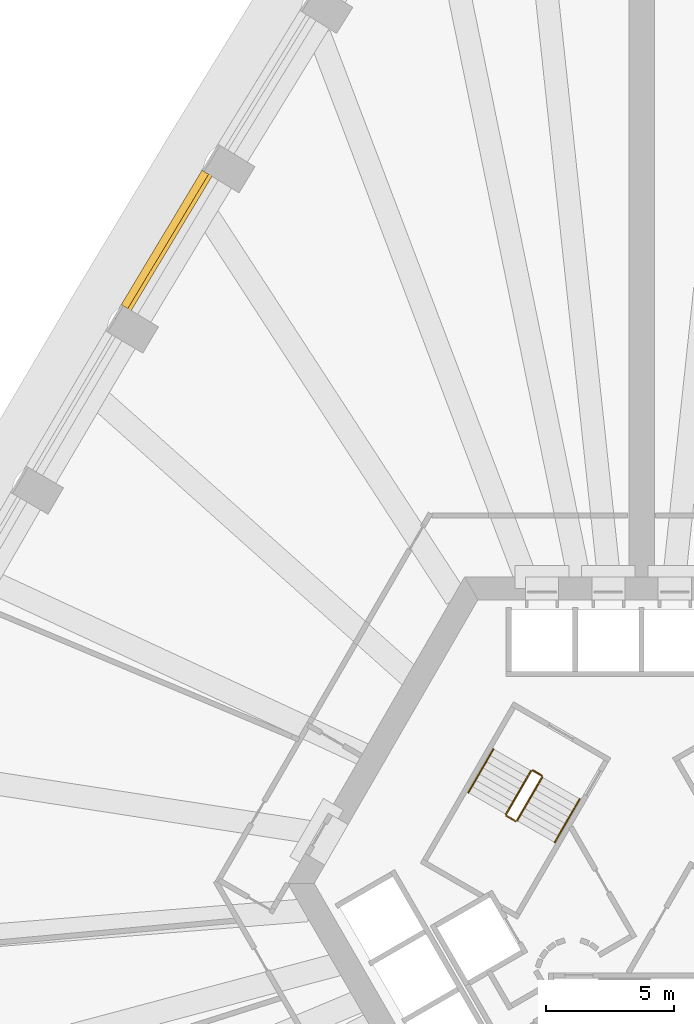
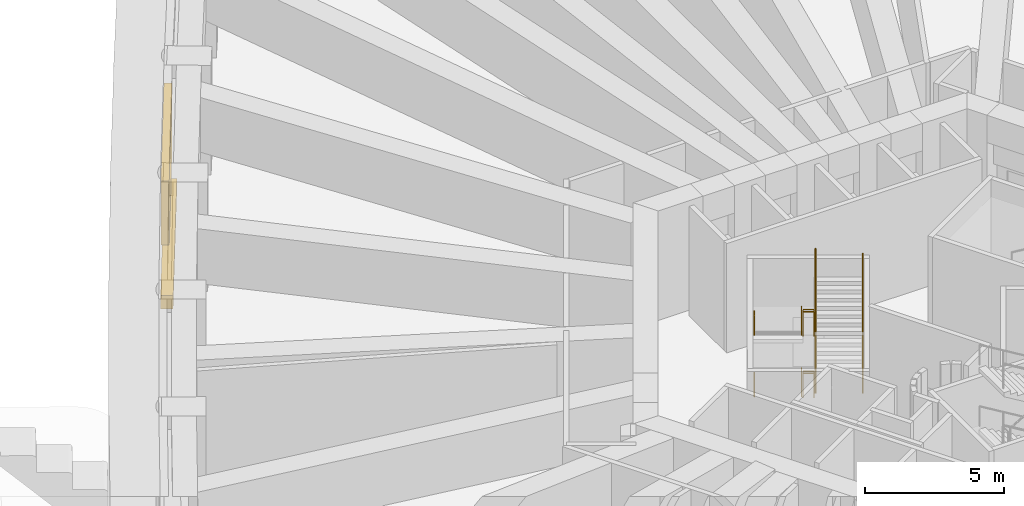
# One storey, part 17 of 21: 12 railings, 1 covering, 1 shading device.
"""IFC4 building model written with IfcOpenShell, lengths in metres."""

from ifc_helpers import new_model, si_unit, direction, frame, origin, origin_2d, place, context, subcontext, project, spatial, polyline, rectangle, circle, outline, extrude, material, layer, layer_set, type_object, element, save


model = new_model("IFC4")

# Units and contexts
model_context = context("Model", 3, precision=1e-05, world=origin(), true_north=direction((0.0, 1.0)))
body_context = subcontext(model_context, "Body", "Model", "MODEL_VIEW")
ifc_project = project(units=[si_unit("LENGTHUNIT", "METRE"), si_unit("AREAUNIT", "SQUARE_METRE"), si_unit("VOLUMEUNIT", "CUBIC_METRE"), si_unit("PLANEANGLEUNIT", "RADIAN"), si_unit("MASSUNIT", "GRAM", prefix="KILO")], contexts=[model_context])

# Site, building, storey
site_placement = place(None, origin())
site = spatial("IfcSite", under=ifc_project, at=site_placement, CompositionType="ELEMENT")
building_placement = place(site_placement, origin())
building = spatial("IfcBuilding", under=site, at=building_placement, Name="Entoto Arch Interchange Tower", CompositionType="ELEMENT")
storey_placement = place(building_placement, frame((0.0, 0.0, 81.199951171875)))
storey = spatial("IfcBuildingStorey", under=building, at=storey_placement, Name="L17", CompositionType="ELEMENT", Elevation=81.199951171875)

# Shading device
ifc_material_1 = material(Name="Aluminium, anodised", Category="aluminium")
ifc_layer = layer(ifc_material_1, 0.300048828125)
ifc_layer_set = layer_set([ifc_layer], Name="Aluminium, anodised")
shading_device_type = type_object("IfcShadingDeviceType", Name="PLANT LOUVRE ALUMINIUM", PredefinedType="JALOUSIE", material=ifc_layer_set)
shading_device_placement = place(storey_placement, frame((-18.659912109375, 27.7060546875, 1.2001953125), z_axis=(0.0, 0.0, 1.0), x_axis=(-0.515307336539, -0.857005454422, 0.0)))
element("IfcShadingDevice", 1, at=shading_device_placement, inside=storey, type_object=shading_device_type, Name="Plant louvre NW-03 L17", PredefinedType="JALOUSIE", context=body_context, shape_type="SweptSolid", body=[
    extrude(rectangle(XDim=6.134033203125, YDim=0.300048828125, at=origin_2d()), origin(), (0.0, 0.0, 1.0), 2.800048828125),
])

# Covering
ifc_material_2 = material(Name="Board-marked precast concrete C50/60", Category="concrete")
covering_type = type_object("IfcCoveringType", Name="PRECAST LEDGE COURSE", PredefinedType="CLADDING", material=ifc_material_2)
covering_placement = place(storey_placement, frame((0.0, 0.0, -1.199951171875)))
element("IfcCovering", 2, at=covering_placement, inside=storey, type_object=covering_type, Name="Precast course NW-03 L17", PredefinedType="CLADDING", context=body_context, shape_type="SweptSolid", body=[
    extrude(outline(polyline([(-20.2890625, 24.408935546875), (-20.677001953125, 24.64111328125), (-16.89794921875, 30.926025390625), (-16.509033203125, 30.68798828125), (-20.2890625, 24.408935546875)])), origin(), (0.0, 0.0, 1.0), 0.60009765625),
])

# Railings
ifc_material_3 = material(Name="Stainless steel 1.4301", Category="steel")
railing_type_1 = type_object("IfcRailingType", Name="STAIR GUARD 1100 STEEL", PredefinedType="GUARDRAIL", material=ifc_material_3)
railing_1_placement = place(storey_placement, frame((-4.327880859375, 6.904052734375, 0.168701171875)))
element("IfcRailing", 3, at=railing_1_placement, inside=storey, type_object=railing_type_1, Name="L17 ST-NW stair guard 1", PredefinedType="GUARDRAIL", context=body_context, shape_type="SweptSolid", body=[
    extrude(circle(Radius=0.02392578125, at=origin_2d()), frame((0.0, 0.0, 1.076171875), z_axis=(-0.428204578836, -0.741730552229, 0.516213741153), x_axis=(0.866042469362, -0.499970440388, 0.0)), (0.0, 0.0, 1.0), 2.28857421875),
    extrude(circle(Radius=0.02099609375, at=origin_2d()), origin(), (0.0, 0.0, 1.0), 1.052001953125),
    extrude(circle(Radius=0.02099609375, at=origin_2d()), frame((-0.489990234375, -0.8486328125, 0.5908203125)), (0.0, 0.0, 1.0), 1.052001953125),
    extrude(circle(Radius=0.02099609375, at=origin_2d()), frame((-0.97998046875, -1.697509765625, 1.181396484375)), (0.0, 0.0, 1.0), 1.052001953125),
])
railing_2_placement = place(storey_placement, frame((-5.28955078125, 5.13818359375, 1.35009765625)))
element("IfcRailing", 4, at=railing_2_placement, inside=storey, type_object=railing_type_1, Name="L17 ST-NW stair guard 2", PredefinedType="GUARDRAIL", context=body_context, shape_type="SweptSolid", body=[
    extrude(circle(Radius=0.02392578125, at=origin_2d()), frame((0.0, 0.0, 1.076171875), z_axis=(0.866094119867, -0.499880961361, 0.0), x_axis=(0.499880961361, 0.866094119867, 0.0)), (0.0, 0.0, 1.0), 0.39990234375),
    extrude(circle(Radius=0.02099609375, at=origin_2d()), origin(), (0.0, 0.0, 1.0), 1.052001953125),
    extrude(circle(Radius=0.02099609375, at=origin_2d()), frame((0.346435546875, -0.199951171875, 0.0)), (0.0, 0.0, 1.0), 1.052001953125),
])
railing_3_placement = place(storey_placement, frame((-4.874755859375, 4.95654296875, 1.518798828125)))
element("IfcRailing", 5, at=railing_3_placement, inside=storey, type_object=railing_type_1, Name="L17 ST-NW stair guard 3", PredefinedType="GUARDRAIL", context=body_context, shape_type="SweptSolid", body=[
    extrude(circle(Radius=0.02392578125, at=origin_2d()), frame((0.0, 0.0, 1.076171875), z_axis=(0.428228158944, 0.741771397394, 0.516135484049), x_axis=(-0.866042469362, 0.499970440388, 0.0)), (0.0, 0.0, 1.0), 2.28857421875),
    extrude(circle(Radius=0.02099609375, at=origin_2d()), origin(), (0.0, 0.0, 1.0), 1.052001953125),
    extrude(circle(Radius=0.02099609375, at=origin_2d()), frame((0.489990234375, 0.8486328125, 0.590576171875)), (0.0, 0.0, 1.0), 1.052001953125),
    extrude(circle(Radius=0.02099609375, at=origin_2d()), frame((0.97998046875, 1.697509765625, 1.18115234375)), (0.0, 0.0, 1.0), 1.052001953125),
])
railing_4_placement = place(storey_placement, frame((-4.259521484375, 6.92236328125, 2.699951171875)))
element("IfcRailing", 6, at=railing_4_placement, inside=storey, type_object=railing_type_1, Name="L17 ST-NW stair guard 4", PredefinedType="GUARDRAIL", context=body_context, shape_type="SweptSolid", body=[
    extrude(circle(Radius=0.02392578125, at=origin_2d()), frame((0.0, 0.0, 1.076171875), z_axis=(0.865829829939, -0.500338590944, 0.0), x_axis=(0.500338590944, 0.865829829939, 0.0)), (0.0, 0.0, 1.0), 0.400146484375),
    extrude(circle(Radius=0.02099609375, at=origin_2d()), origin(), (0.0, 0.0, 1.0), 1.052001953125),
    extrude(circle(Radius=0.02099609375, at=origin_2d()), frame((0.346435546875, -0.2001953125, 0.0)), (0.0, 0.0, 1.0), 1.052001953125),
])
railing_5_placement = place(storey_placement, frame((-4.327880859375, 6.904052734375, 2.868896484375)))
element("IfcRailing", 7, at=railing_5_placement, inside=storey, type_object=railing_type_1, Name="L17 ST-NW stair guard 5", PredefinedType="GUARDRAIL", context=body_context, shape_type="SweptSolid", body=[
    extrude(circle(Radius=0.02392578125, at=origin_2d()), frame((0.0, 0.0, 1.076171875), z_axis=(-0.428228158944, -0.741771397394, 0.516135484049), x_axis=(0.866042469362, -0.499970440388, 0.0)), (0.0, 0.0, 1.0), 2.28857421875),
    extrude(circle(Radius=0.02099609375, at=origin_2d()), origin(), (0.0, 0.0, 1.0), 1.052001953125),
    extrude(circle(Radius=0.02099609375, at=origin_2d()), frame((-0.489990234375, -0.8486328125, 0.590576171875)), (0.0, 0.0, 1.0), 1.052001953125),
    extrude(circle(Radius=0.02099609375, at=origin_2d()), frame((-0.97998046875, -1.697509765625, 1.18115234375)), (0.0, 0.0, 1.0), 1.052001953125),
])
railing_6_placement = place(storey_placement, frame((-5.28955078125, 5.13818359375, 4.050048828125)))
element("IfcRailing", 8, at=railing_6_placement, inside=storey, type_object=railing_type_1, Name="L17 ST-NW stair guard 6", PredefinedType="GUARDRAIL", context=body_context, shape_type="SweptSolid", body=[
    extrude(circle(Radius=0.02392578125, at=origin_2d()), frame((0.0, 0.0, 1.076171875), z_axis=(0.866094119867, -0.499880961361, 0.0), x_axis=(0.499880961361, 0.866094119867, 0.0)), (0.0, 0.0, 1.0), 0.39990234375),
    extrude(circle(Radius=0.02099609375, at=origin_2d()), origin(), (0.0, 0.0, 1.0), 1.052001953125),
    extrude(circle(Radius=0.02099609375, at=origin_2d()), frame((0.346435546875, -0.199951171875, 0.0)), (0.0, 0.0, 1.0), 1.052001953125),
])
railing_7_placement = place(storey_placement, frame((-4.874755859375, 4.95654296875, 4.21875)))
element("IfcRailing", 9, at=railing_7_placement, inside=storey, type_object=railing_type_1, Name="L17 ST-NW stair guard 7", PredefinedType="GUARDRAIL", context=body_context, shape_type="SweptSolid", body=[
    extrude(circle(Radius=0.02392578125, at=origin_2d()), frame((0.0, 0.0, 1.076171875), z_axis=(0.428204578836, 0.741730552229, 0.516213741153), x_axis=(-0.866042469362, 0.499970440388, 0.0)), (0.0, 0.0, 1.0), 2.28857421875),
    extrude(circle(Radius=0.02099609375, at=origin_2d()), origin(), (0.0, 0.0, 1.0), 1.052001953125),
    extrude(circle(Radius=0.02099609375, at=origin_2d()), frame((0.489990234375, 0.8486328125, 0.5908203125)), (0.0, 0.0, 1.0), 1.052001953125),
    extrude(circle(Radius=0.02099609375, at=origin_2d()), frame((0.97998046875, 1.697509765625, 1.181396484375)), (0.0, 0.0, 1.0), 1.052001953125),
])
railing_8_placement = place(storey_placement, frame((-4.259521484375, 6.92236328125, 0.0)))
element("IfcRailing", 10, at=railing_8_placement, inside=storey, type_object=railing_type_1, Name="L17 ST-NW stair guard 8", PredefinedType="GUARDRAIL", context=body_context, shape_type="SweptSolid", body=[
    extrude(circle(Radius=0.02392578125, at=origin_2d()), frame((0.0, 0.0, 1.076171875), z_axis=(0.865829829939, -0.500338590944, 0.0), x_axis=(0.500338590944, 0.865829829939, 0.0)), (0.0, 0.0, 1.0), 0.400146484375),
    extrude(circle(Radius=0.02099609375, at=origin_2d()), origin(), (0.0, 0.0, 1.0), 1.052001953125),
    extrude(circle(Radius=0.02099609375, at=origin_2d()), frame((0.346435546875, -0.2001953125, 0.0)), (0.0, 0.0, 1.0), 1.052001953125),
])
railing_type_2 = type_object("IfcRailingType", Name="STAIR HANDRAIL 900 STEEL", PredefinedType="HANDRAIL", material=ifc_material_3)
railing_9_placement = place(storey_placement, frame((-5.800048828125, 7.75390625, 0.168701171875)))
element("IfcRailing", 11, at=railing_9_placement, inside=storey, type_object=railing_type_2, Name="L17 ST-NW stair handrail 1", PredefinedType="HANDRAIL", context=body_context, shape_type="SweptSolid", body=[
    extrude(circle(Radius=0.02392578125, at=origin_2d()), frame((0.0, 0.0, 0.8759765625), z_axis=(-0.428238462606, -0.741682559053, 0.516254589076), x_axis=(0.866011328839, -0.500024377727, 0.0)), (0.0, 0.0, 1.0), 2.288330078125),
    extrude(circle(Radius=0.02099609375, at=origin_2d()), origin(), (0.0, 0.0, 1.0), 0.851806640625),
    extrude(circle(Radius=0.02099609375, at=origin_2d()), frame((-0.489990234375, -0.8486328125, 0.5908203125)), (0.0, 0.0, 1.0), 0.851806640625),
    extrude(circle(Radius=0.02099609375, at=origin_2d()), frame((-0.97998046875, -1.697265625, 1.181396484375)), (0.0, 0.0, 1.0), 0.851806640625),
])
railing_10_placement = place(storey_placement, frame((-3.402587890625, 4.1064453125, 1.518798828125)))
element("IfcRailing", 12, at=railing_10_placement, inside=storey, type_object=railing_type_2, Name="L17 ST-NW stair handrail 2", PredefinedType="HANDRAIL", context=body_context, shape_type="SweptSolid", body=[
    extrude(circle(Radius=0.02392578125, at=origin_2d()), frame((0.0, 0.0, 0.8759765625), z_axis=(0.428228158944, 0.741771397394, 0.516135484049), x_axis=(-0.866042469362, 0.499970440388, 0.0)), (0.0, 0.0, 1.0), 2.28857421875),
    extrude(circle(Radius=0.02099609375, at=origin_2d()), origin(), (0.0, 0.0, 1.0), 0.851806640625),
    extrude(circle(Radius=0.02099609375, at=origin_2d()), frame((0.489990234375, 0.8486328125, 0.590576171875)), (0.0, 0.0, 1.0), 0.851806640625),
    extrude(circle(Radius=0.02099609375, at=origin_2d()), frame((0.97998046875, 1.697509765625, 1.18115234375)), (0.0, 0.0, 1.0), 0.851806640625),
])
railing_11_placement = place(storey_placement, frame((-5.800048828125, 7.75390625, 2.868896484375)))
element("IfcRailing", 13, at=railing_11_placement, inside=storey, type_object=railing_type_2, Name="L17 ST-NW stair handrail 3", PredefinedType="HANDRAIL", context=body_context, shape_type="SweptSolid", body=[
    extrude(circle(Radius=0.02392578125, at=origin_2d()), frame((0.0, 0.0, 0.8759765625), z_axis=(-0.428262048313, -0.74172340804, 0.516176330279), x_axis=(0.866011328839, -0.500024377727, 0.0)), (0.0, 0.0, 1.0), 2.288330078125),
    extrude(circle(Radius=0.02099609375, at=origin_2d()), origin(), (0.0, 0.0, 1.0), 0.851806640625),
    extrude(circle(Radius=0.02099609375, at=origin_2d()), frame((-0.489990234375, -0.8486328125, 0.590576171875)), (0.0, 0.0, 1.0), 0.851806640625),
    extrude(circle(Radius=0.02099609375, at=origin_2d()), frame((-0.97998046875, -1.697265625, 1.18115234375)), (0.0, 0.0, 1.0), 0.851806640625),
])
railing_12_placement = place(storey_placement, frame((-3.402587890625, 4.1064453125, 4.21875)))
element("IfcRailing", 14, at=railing_12_placement, inside=storey, type_object=railing_type_2, Name="L17 ST-NW stair handrail 4", PredefinedType="HANDRAIL", context=body_context, shape_type="SweptSolid", body=[
    extrude(circle(Radius=0.02392578125, at=origin_2d()), frame((0.0, 0.0, 0.8759765625), z_axis=(0.428204578836, 0.741730552229, 0.516213741153), x_axis=(-0.866042469362, 0.499970440388, 0.0)), (0.0, 0.0, 1.0), 2.28857421875),
    extrude(circle(Radius=0.02099609375, at=origin_2d()), origin(), (0.0, 0.0, 1.0), 0.851806640625),
    extrude(circle(Radius=0.02099609375, at=origin_2d()), frame((0.489990234375, 0.8486328125, 0.5908203125)), (0.0, 0.0, 1.0), 0.851806640625),
    extrude(circle(Radius=0.02099609375, at=origin_2d()), frame((0.97998046875, 1.697509765625, 1.181396484375)), (0.0, 0.0, 1.0), 0.851806640625),
])

save(model, "model.ifc")
